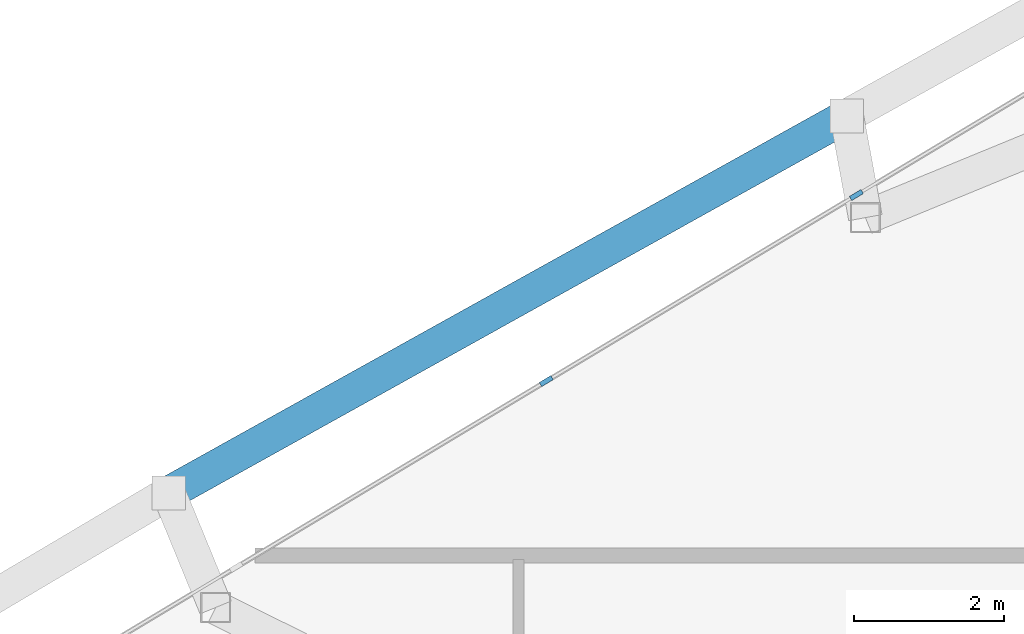
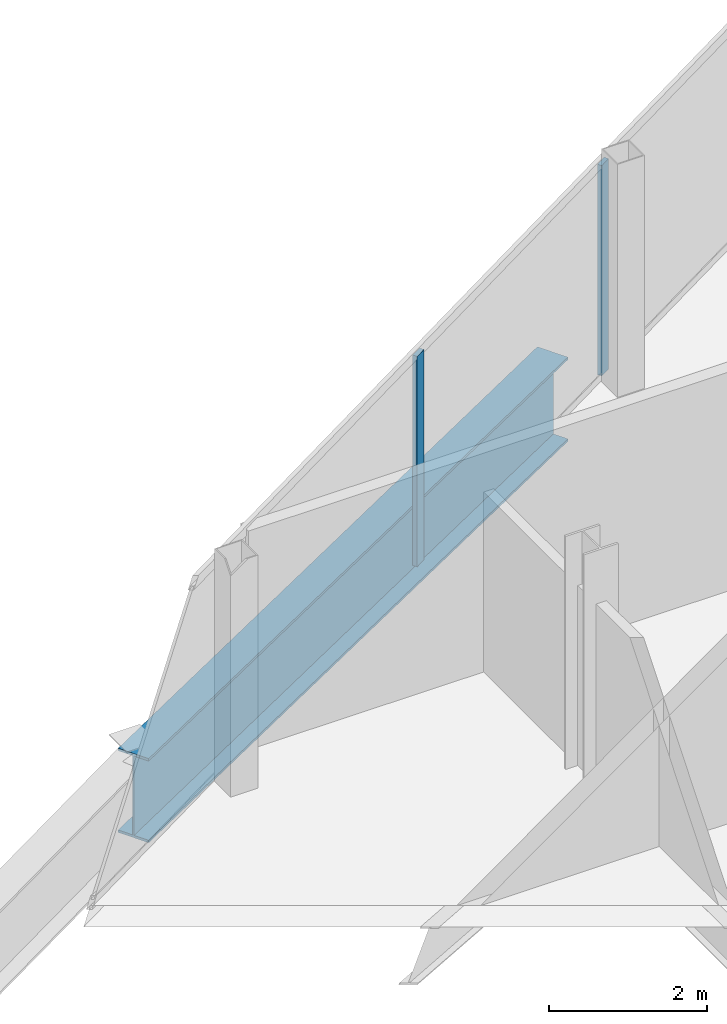
# One storey, part 10 of 29: 2 members, 1 beam, 1 element without a shape of its own.
"""IFC4 building model written with IfcOpenShell, lengths in metres."""

from ifc_helpers import new_model, si_unit, direction, frame, origin, origin_2d, place, context, subcontext, project, spatial, rectangle, i_section, extrude, source, transform, mapped, material, layer, layer_set, material_profile, profile_set, type_object, type_shapes, element, aggregate, save


model = new_model("IFC4")

# Units and contexts
model_context = context("Model", 3, precision=1e-05, world=origin(), true_north=direction((0.0, 1.0)))
body_context = subcontext(model_context, "Body", "Model", "MODEL_VIEW")
ifc_project = project(units=[si_unit("LENGTHUNIT", "METRE"), si_unit("AREAUNIT", "SQUARE_METRE"), si_unit("VOLUMEUNIT", "CUBIC_METRE"), si_unit("PLANEANGLEUNIT", "RADIAN"), si_unit("MASSUNIT", "GRAM", prefix="KILO")], contexts=[model_context])

# Site, building, storey
site_placement = place(None, origin())
site = spatial("IfcSite", under=ifc_project, at=site_placement, CompositionType="ELEMENT")
building_placement = place(site_placement, origin())
building = spatial("IfcBuilding", under=site, at=building_placement, Name="Seokmaru Belvedere", CompositionType="ELEMENT")
storey_placement = place(building_placement, frame((0.0, 0.0, 195.89990234375)))
storey = spatial("IfcBuildingStorey", under=building, at=storey_placement, Name="L52", CompositionType="ELEMENT", Elevation=195.89990234375)

# Beam
ifc_material_1 = material(Name="Steel HSA650 (650 MPa)", Category="steel")
ifc_material_profile_1 = material_profile(ifc_material_1, i_section(OverallWidth=0.449951171875, OverallDepth=1.300048828125, WebThickness=0.02197265625, FlangeThickness=0.0380859375, at=origin_2d()), Name="BH-1300x450x22x38")
ifc_profile_set_1 = profile_set([ifc_material_profile_1], Name="Steel HSA650 (650 MPa)")
beam_type = type_object("IfcBeamType", Name="Observatory Long-Span Roof Girder BH-1300", PredefinedType="BEAM", material=ifc_profile_set_1)
shared_shape_1 = source(origin(), body_context, "Body", "SweptSolid", [
    extrude(i_section(OverallWidth=0.449951171875, OverallDepth=1.300048828125, WebThickness=0.02197265625, FlangeThickness=0.0380859375, at=origin_2d()), origin(), (0.0, 0.0, 1.0), 10.327392578125),
])
type_shapes(beam_type, [shared_shape_1])
beam_placement = place(storey_placement, frame((-50.129150390625, 13.051025390625, -0.869873046875), z_axis=(-0.873934162361, -0.48604431882, 0.0), x_axis=(0.48604431882, -0.873934162361, 0.0)))
element("IfcBeam", 1, at=beam_placement, inside=storey, type_object=beam_type, Name="L52 W Faceted Flank Spandrel N-3", PredefinedType="BEAM", context=body_context, shape_type="MappedRepresentation", body=[
    mapped(shared_shape_1, transform((0.0, 0.0, 0.0), scale=1.0)),
])

# Curtain wall, members
ifc_material_2 = material(Name="Bronze Triple Insulating Glass", Category="glass")
ifc_layer = layer(ifc_material_2, 0.179931640625)
ifc_layer_set = layer_set([ifc_layer], Name="Bronze Triple Insulating Glass")
curtain_wall_type = type_object("IfcCurtainWallType", Name="High-Rise Wind-Corner Curtain Wall System CW-5", PredefinedType="NOTDEFINED", material=ifc_layer_set)
curtain_wall_placement = place(storey_placement, origin())
curtain_wall = element("IfcCurtainWall", 2, at=curtain_wall_placement, inside=storey, type_object=curtain_wall_type, Name="L52 Curtain Wall WF3", PredefinedType="NOTDEFINED")
ifc_material_3 = material(Name="Anodised Bronze Aluminium", Category="aluminium")
ifc_material_profile_2 = material_profile(ifc_material_3, rectangle(XDim=0.06494140625, YDim=0.179931640625, at=origin_2d()), Name="CW-M-65x180")
ifc_profile_set_2 = profile_set([ifc_material_profile_2], Name="Anodised Bronze Aluminium")
member_type = type_object("IfcMemberType", Name="Bronze Unitised Mullion 65x180", PredefinedType="MULLION", material=ifc_profile_set_2)
shared_shape_2 = source(origin(), body_context, "Body", "SweptSolid", [
    extrude(rectangle(XDim=0.06494140625, YDim=0.179931640625, at=origin_2d()), origin(), (0.0, 0.0, 1.0), 3.25),
])
type_shapes(member_type, [shared_shape_2])
member_1_placement = place(storey_placement, frame((-50.0, 12.0, 0.065185546875), z_axis=(0.0, 0.0, 1.0), x_axis=(0.514494909364, -0.85749343335, 0.0)))
member_1 = element("IfcMember", 3, at=member_1_placement, type_object=member_type, Name="CW:L52:WF3 Mullion 5", PredefinedType="MULLION", context=body_context, shape_type="MappedRepresentation", body=[
    mapped(shared_shape_2, transform((0.0, 0.0, 0.0), scale=1.0)),
])
member_2_placement = place(storey_placement, frame((-54.12841796875, 9.52294921875, 0.065185546875), z_axis=(0.0, 0.0, 1.0), x_axis=(0.514494909364, -0.85749343335, 0.0)))
member_2 = element("IfcMember", 4, at=member_2_placement, type_object=member_type, Name="CW:L52:WF3 Mullion 6", PredefinedType="MULLION", context=body_context, shape_type="MappedRepresentation", body=[
    mapped(shared_shape_2, transform((0.0, 0.0, 0.0), scale=1.0)),
])
aggregate(curtain_wall, [member_1, member_2])

save(model, "model.ifc")
